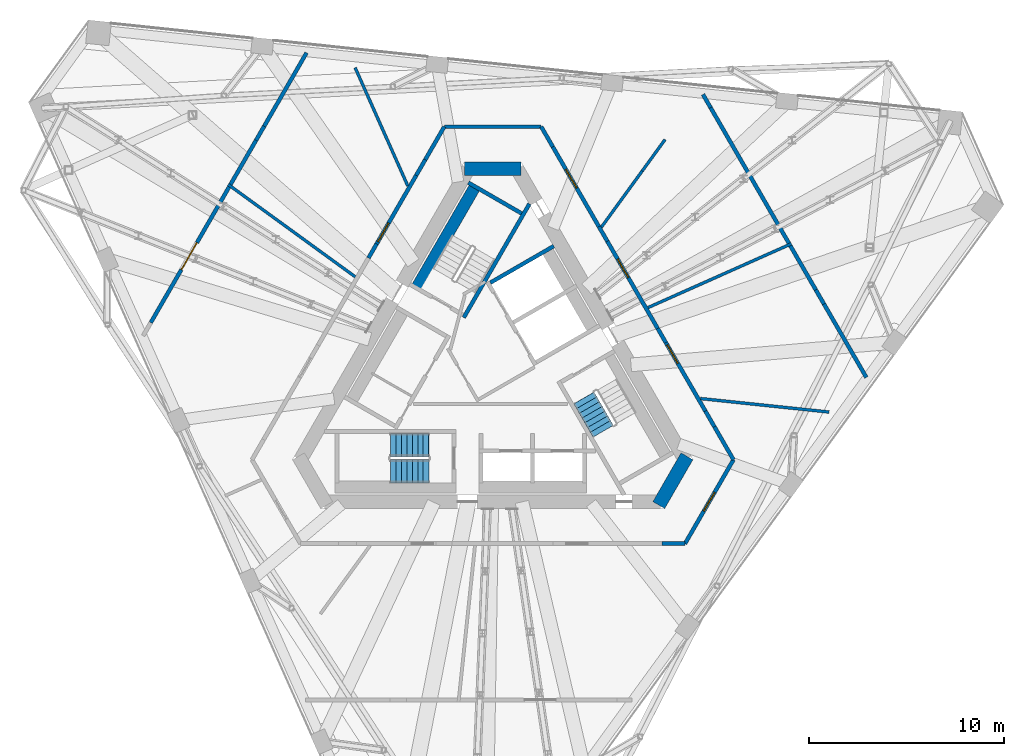
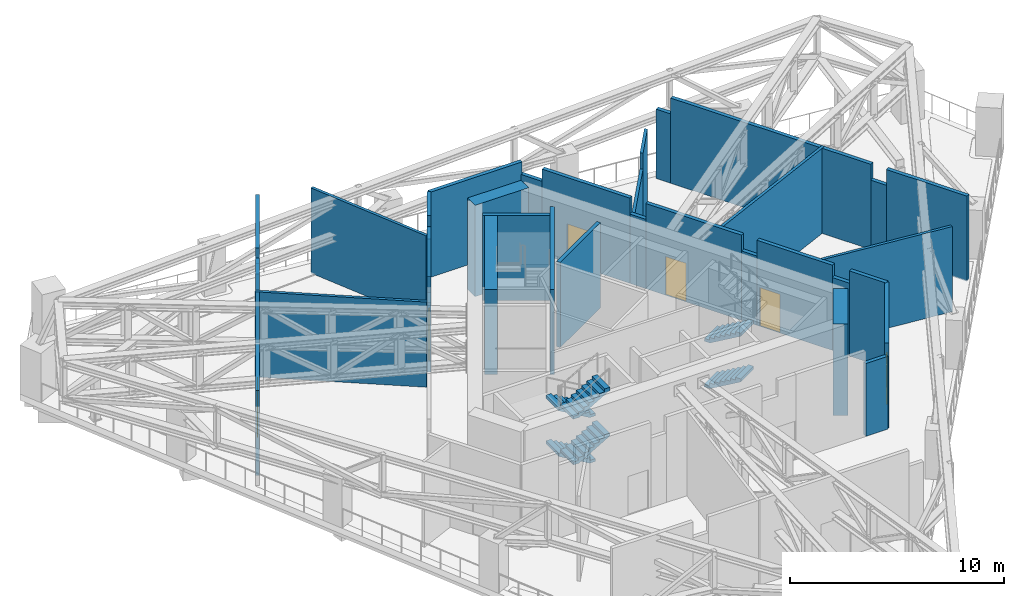
# One storey, part 13 of 20: 34 walls, 6 doors, 6 stair flights, 6 openings, 2 elements without a shape of their own.
"""IFC4 building model written with IfcOpenShell, lengths in metres."""

from ifc_helpers import new_model, si_unit, direction, frame, frame_2d, origin, place, context, subcontext, project, spatial, polyline, rectangle, outline, extrude, material, layer, layer_set, type_object, element, fill, aggregate, save


model = new_model("IFC4")

# Units and contexts
model_context = context("Model", 3, precision=1e-05, world=origin(), true_north=direction((0.0, 1.0)))
body_context = subcontext(model_context, "Body", "Model", "MODEL_VIEW")
ifc_project = project(units=[si_unit("LENGTHUNIT", "METRE"), si_unit("AREAUNIT", "SQUARE_METRE"), si_unit("VOLUMEUNIT", "CUBIC_METRE"), si_unit("PLANEANGLEUNIT", "RADIAN"), si_unit("MASSUNIT", "GRAM", prefix="KILO")], contexts=[model_context])

# Site, building, storey
site_placement = place(None, origin())
site = spatial("IfcSite", under=ifc_project, at=site_placement, CompositionType="ELEMENT")
building_placement = place(site_placement, origin())
building = spatial("IfcBuilding", under=site, at=building_placement, Name="Tramontana Tower", CompositionType="ELEMENT")
storey_placement = place(building_placement, frame((0.0, 0.0, 269.199951171875)))
storey = spatial("IfcBuildingStorey", under=building, at=storey_placement, Name="L63", CompositionType="ELEMENT", Elevation=269.199951171875)

# Walls
ifc_material_1 = material(Name="Concrete 70 MPa", Category="concrete")
ifc_layer_1 = layer(ifc_material_1, 0.699951171875)
ifc_layer_set_1 = layer_set([ifc_layer_1], Name="Core wall 700 70 MPa")
wall_type_1 = type_object("IfcWallType", Name="Core wall 700 70 MPa", PredefinedType="SHEAR", material=ifc_layer_set_1)
for number, where, z_axis, x_axis, name in (
    (1, (1.443359375, 10.64990234375, 0.0), (0.0, 0.0, 1.0), (-1.0, 0.0, 0.0), "Core wall C0 L63"),
    (2, (8.50146484375, -6.574951171875, 0.0), (0.0, 0.0, 1.0), (0.499995765644, 0.866027848477, 0.0), "Core wall C4 L63"),
):
    element("IfcWall", number, at=place(storey_placement, frame(where, z_axis=z_axis, x_axis=x_axis)), inside=storey, type_object=wall_type_1, Name=name, PredefinedType="SHEAR", context=body_context, shape_type="SweptSolid", body=[
        extrude(rectangle(XDim=2.88671875, YDim=0.699951171875, at=frame_2d((1.443359375, 0.0))), origin(), (0.0, 0.0, 1.0), 5.199951171875),
    ])

# Wall, opening, door
ifc_material_2 = material(Name="Blockwork", Category="masonry")
ifc_layer_2 = layer(ifc_material_2, 0.199951171875)
ifc_layer_set_2 = layer_set([ifc_layer_2], Name="ENCLOSURE WALL 200")
wall_type_2 = type_object("IfcWallType", Name="ENCLOSURE WALL 200", PredefinedType="SOLIDWALL", material=ifc_layer_set_2)
wall_1_placement = place(storey_placement, frame((-17.509521484375, 2.772705078125, 0.0), z_axis=(0.0, 0.0, 1.0), x_axis=(0.500001620546, 0.86602446816, 0.0)))
wall_1 = element("IfcWall", 3, at=wall_1_placement, inside=storey, type_object=wall_type_2, Name="Wall enc1-1", PredefinedType="SOLIDWALL", context=body_context, shape_type="SweptSolid", body=[
    extrude(rectangle(XDim=10.77490234375, YDim=0.199951171875, at=frame_2d((5.387451171875, 0.0))), origin(), (0.0, 0.0, 1.0), 4.85009765625),
])
opening_1_placement = place(wall_1_placement, frame((3.124755859375, 0.0, 0.0)))
opening_1 = element("IfcOpeningElement", 4, at=opening_1_placement, cuts=wall_1, Name="Opening L63-10", PredefinedType="OPENING", context=body_context, shape_type="SweptSolid", body=[
    extrude(rectangle(XDim=1.60009765625, YDim=2.300048828125, at=frame_2d((0.800048828125, 1.14990234375))), frame((0.0, 0.10986328125, 0.0), z_axis=(0.0, -1.0, 0.0), x_axis=(1.0, 0.0, 0.0)), (0.0, 0.0, 1.0), 0.219970703125),
])
ifc_material_3 = material(Name="Painted timber", Category="wood")
door_type_1 = type_object("IfcDoorType", Name="DOOR WIDE 1600", OperationType="SINGLE_SWING_LEFT", PredefinedType="DOOR", material=ifc_material_3)
door_1_placement = place(opening_1_placement, origin())
door_1 = element("IfcDoor", 5, at=door_1_placement, inside=storey, type_object=door_type_1, Name="Door L63-10", OperationType="DOUBLE_DOOR_SINGLE_SWING", OverallHeight=2.300048828125, OverallWidth=1.60009765625, PredefinedType="DOOR", context=body_context, shape_type="SweptSolid", body=[
    extrude(rectangle(XDim=1.60009765625, YDim=2.300048828125, at=frame_2d((0.800048828125, 1.14990234375))), frame((0.0, 0.02490234375, 0.0), z_axis=(0.0, -1.0, 0.0), x_axis=(1.0, 0.0, 0.0)), (0.0, 0.0, 1.0), 0.050048828125),
])
fill(opening_1, door_1)

# Walls
wall_2_placement = place(storey_placement, frame((-12.1220703125, 12.10400390625, 0.0), z_axis=(0.0, 0.0, 1.0), x_axis=(0.500077471398, 0.865980671032, 0.0)))
element("IfcWall", 6, at=wall_2_placement, inside=storey, type_object=wall_type_2, Name="Wall enc1-2", PredefinedType="SOLIDWALL", context=body_context, shape_type="SweptSolid", body=[
    extrude(rectangle(XDim=0.833251953125, YDim=0.199951171875, at=frame_2d((0.41650390625, 0.0))), origin(), (0.0, 0.0, 1.0), 3.949951171875),
])
wall_3_placement = place(storey_placement, frame((-11.705322265625, 12.82568359375, 0.0), z_axis=(0.0, 0.0, 1.0), x_axis=(0.500007885066, 0.866020851292, 0.0)))
element("IfcWall", 7, at=wall_3_placement, inside=storey, type_object=wall_type_2, Name="Wall enc1-3", PredefinedType="SOLIDWALL", context=body_context, shape_type="SweptSolid", body=[
    extrude(rectangle(XDim=4.34375, YDim=0.199951171875, at=frame_2d((2.171875, 0.0))), origin(), (0.0, 0.0, 1.0), 4.85009765625),
])
wall_4_placement = place(storey_placement, frame((10.765380859375, 14.453857421875, 0.0), z_axis=(0.0, 0.0, 1.0), x_axis=(0.50003806587, -0.866003425329, 0.0)))
element("IfcWall", 8, at=wall_4_placement, inside=storey, type_object=wall_type_2, Name="Wall enc2-0", PredefinedType="SOLIDWALL", context=body_context, shape_type="SweptSolid", body=[
    extrude(rectangle(XDim=0.78125, YDim=0.199951171875, at=frame_2d((0.390625, 0.0))), origin(), (0.0, 0.0, 1.0), 3.949951171875),
])
wall_5_placement = place(storey_placement, frame((11.156005859375, 13.77734375, 0.0), z_axis=(0.0, 0.0, 1.0), x_axis=(0.499984626538, -0.866034279475, 0.0)))
element("IfcWall", 9, at=wall_5_placement, inside=storey, type_object=wall_type_2, Name="Wall enc2-1", PredefinedType="SOLIDWALL", context=body_context, shape_type="SweptSolid", body=[
    extrude(rectangle(XDim=10.774658203125, YDim=0.199951171875, at=frame_2d((5.38720703125, 0.0))), origin(), (0.0, 0.0, 1.0), 4.85009765625),
])
wall_6_placement = place(storey_placement, frame((16.543212890625, 4.446044921875, 0.0), z_axis=(0.0, 0.0, 1.0), x_axis=(0.500077471398, -0.865980671032, 0.0)))
element("IfcWall", 10, at=wall_6_placement, inside=storey, type_object=wall_type_2, Name="Wall enc2-2", PredefinedType="SOLIDWALL", context=body_context, shape_type="SweptSolid", body=[
    extrude(rectangle(XDim=0.833251953125, YDim=0.199951171875, at=frame_2d((0.41650390625, 0.0))), origin(), (0.0, 0.0, 1.0), 3.949951171875),
])
wall_7_placement = place(storey_placement, frame((16.9599609375, 3.724365234375, 0.0), z_axis=(0.0, 0.0, 1.0), x_axis=(0.500007885066, -0.866020851292, 0.0)))
element("IfcWall", 11, at=wall_7_placement, inside=storey, type_object=wall_type_2, Name="Wall enc2-3", PredefinedType="SOLIDWALL", context=body_context, shape_type="SweptSolid", body=[
    extrude(rectangle(XDim=4.34375, YDim=0.199951171875, at=frame_2d((2.171875, 0.0))), origin(), (0.0, 0.0, 1.0), 4.85009765625),
])

# Wall, opening, door
ifc_material_4 = material(Name="Blockwork", Category="masonry")
ifc_layer_3 = layer(ifc_material_4, 0.199951171875)
ifc_layer_set_3 = layer_set([ifc_layer_3], Name="ENTRY WALL 200")
wall_type_3 = type_object("IfcWallType", Name="ENTRY WALL 200", PredefinedType="SOLIDWALL", material=ifc_layer_set_3)
wall_8_placement = place(storey_placement, frame((12.326416015625, -4.25, 0.0), z_axis=(0.0, 0.0, 1.0), x_axis=(-0.50000478328, -0.866022642139, 0.0)))
wall_8 = element("IfcWall", 12, at=wall_8_placement, inside=storey, type_object=wall_type_3, Name="Wall ew0", PredefinedType="SOLIDWALL", context=body_context, shape_type="SweptSolid", body=[
    extrude(rectangle(XDim=4.96533203125, YDim=0.199951171875, at=frame_2d((2.482666015625, 0.0))), origin(), (0.0, 0.0, 1.0), 4.85009765625),
])
opening_2_placement = place(wall_8_placement, frame((1.9326171875, 0.0, 0.0)))
opening_2 = element("IfcOpeningElement", 13, at=opening_2_placement, cuts=wall_8, Name="Opening L63-08", PredefinedType="OPENING", context=body_context, shape_type="SweptSolid", body=[
    extrude(rectangle(XDim=1.10009765625, YDim=2.199951171875, at=frame_2d((0.550048828125, 1.10009765625))), frame((0.0, 0.10986328125, 0.0), z_axis=(0.0, -1.0, 0.0), x_axis=(1.0, 0.0, 0.0)), (0.0, 0.0, 1.0), 0.219970703125),
])
ifc_material_5 = material(Name="Painted steel", Category="steel")
door_type_2 = type_object("IfcDoorType", Name="PLANT DOOR 1100", OperationType="SINGLE_SWING_LEFT", PredefinedType="DOOR", material=ifc_material_5)
door_2_placement = place(opening_2_placement, origin())
door_2 = element("IfcDoor", 14, at=door_2_placement, inside=storey, type_object=door_type_2, Name="Door L63-08", OperationType="SINGLE_SWING_RIGHT", OverallHeight=2.199951171875, OverallWidth=1.10009765625, PredefinedType="DOOR", context=body_context, shape_type="SweptSolid", body=[
    extrude(rectangle(XDim=1.10009765625, YDim=2.199951171875, at=frame_2d((0.550048828125, 1.10009765625))), frame((0.0, 0.02490234375, 0.0), z_axis=(0.0, -1.0, 0.0), x_axis=(1.0, 0.0, 0.0)), (0.0, 0.0, 1.0), 0.050048828125),
])
fill(opening_2, door_2)

# Walls
wall_9_placement = place(storey_placement, frame((9.84375, -8.550048828125, 0.0), z_axis=(0.0, 0.0, 1.0), x_axis=(-1.0, 0.0, 0.0)))
element("IfcWall", 15, at=wall_9_placement, inside=storey, type_object=wall_type_3, Name="Wall ew1-0", PredefinedType="SOLIDWALL", context=body_context, shape_type="SweptSolid", body=[
    extrude(rectangle(XDim=1.1884765625, YDim=0.199951171875, at=frame_2d((0.59423828125, 0.0))), origin(), (0.0, 0.0, 1.0), 4.150146484375),
])
wall_10_placement = place(storey_placement, frame((-6.36328125, 6.07861328125, 0.0), z_axis=(0.0, 0.0, 1.0), x_axis=(0.499950631041, 0.86605390509, 0.0)))
element("IfcWall", 16, at=wall_10_placement, inside=storey, type_object=wall_type_3, Name="Wall ew3-4", PredefinedType="SOLIDWALL", context=body_context, shape_type="SweptSolid", body=[
    extrude(rectangle(XDim=0.83349609375, YDim=0.199951171875, at=frame_2d((0.416748046875, 0.0))), origin(), (0.0, 0.0, 1.0), 3.949951171875),
])

# Wall, opening, door
wall_11_placement = place(storey_placement, frame((-5.946533203125, 6.800537109375, 0.0), z_axis=(0.0, 0.0, 1.0), x_axis=(0.500007556608, 0.866021040931, 0.0)))
wall_11 = element("IfcWall", 17, at=wall_11_placement, inside=storey, type_object=wall_type_3, Name="Wall ew3-5", PredefinedType="SOLIDWALL", context=body_context, shape_type="SweptSolid", body=[
    extrude(rectangle(XDim=4.05224609375, YDim=0.199951171875, at=frame_2d((2.026123046875, 0.0))), origin(), (0.0, 0.0, 1.0), 4.85009765625),
])
opening_3_placement = place(wall_11_placement, frame((0.130859375, 0.0, 0.0)))
opening_3 = element("IfcOpeningElement", 18, at=opening_3_placement, cuts=wall_11, Name="Opening L63-03", PredefinedType="OPENING", context=body_context, shape_type="SweptSolid", body=[
    extrude(rectangle(XDim=1.10009765625, YDim=2.199951171875, at=frame_2d((0.550048828125, 1.10009765625))), frame((0.0, 0.10986328125, 0.0), z_axis=(0.0, -1.0, 0.0), x_axis=(1.0, 0.0, 0.0)), (0.0, 0.0, 1.0), 0.219970703125),
])
door_3_placement = place(opening_3_placement, origin())
door_3 = element("IfcDoor", 19, at=door_3_placement, inside=storey, type_object=door_type_2, Name="Door L63-03", OperationType="SINGLE_SWING_LEFT", OverallHeight=2.199951171875, OverallWidth=1.10009765625, PredefinedType="DOOR", context=body_context, shape_type="SweptSolid", body=[
    extrude(rectangle(XDim=1.10009765625, YDim=2.199951171875, at=frame_2d((0.550048828125, 1.10009765625))), frame((0.0, 0.02490234375, 0.0), z_axis=(0.0, -1.0, 0.0), x_axis=(1.0, 0.0, 0.0)), (0.0, 0.0, 1.0), 0.050048828125),
])
fill(opening_3, door_3)

# Walls
wall_12_placement = place(storey_placement, frame((-3.92041015625, 10.309814453125, 0.0), z_axis=(0.0, 0.0, 1.0), x_axis=(0.500102178127, 0.865966403178, 0.0)))
element("IfcWall", 20, at=wall_12_placement, inside=storey, type_object=wall_type_3, Name="Wall ew3-6", PredefinedType="SOLIDWALL", context=body_context, shape_type="SweptSolid", body=[
    extrude(rectangle(XDim=0.927490234375, YDim=0.199951171875, at=frame_2d((0.4638671875, 0.0))), origin(), (0.0, 0.0, 1.0), 4.150146484375),
])
wall_13_placement = place(storey_placement, frame((-3.45654296875, 11.113037109375, 0.0), z_axis=(0.0, 0.0, 1.0), x_axis=(0.499953905513, 0.866052014814, 0.0)))
element("IfcWall", 21, at=wall_13_placement, inside=storey, type_object=wall_type_3, Name="Wall ew3-7", PredefinedType="SOLIDWALL", context=body_context, shape_type="SweptSolid", body=[
    extrude(rectangle(XDim=1.947998046875, YDim=0.199951171875, at=frame_2d((0.97412109375, 0.0))), origin(), (0.0, 0.0, 1.0), 4.85009765625),
])
wall_14_placement = place(storey_placement, frame((-2.482666015625, 12.800048828125, 0.0), z_axis=(0.0, 0.0, 1.0), x_axis=(1.0, 0.0, 0.0)))
element("IfcWall", 22, at=wall_14_placement, inside=storey, type_object=wall_type_3, Name="Wall ew4", PredefinedType="SOLIDWALL", context=body_context, shape_type="SweptSolid", body=[
    extrude(rectangle(XDim=4.96533203125, YDim=0.199951171875, at=frame_2d((2.482666015625, 0.0))), origin(), (0.0, 0.0, 1.0), 4.85009765625),
])
wall_15_placement = place(storey_placement, frame((2.482666015625, 12.800048828125, 0.0), z_axis=(0.0, 0.0, 1.0), x_axis=(0.499983247966, -0.86603507536, 0.0)))
element("IfcWall", 23, at=wall_15_placement, inside=storey, type_object=wall_type_3, Name="Wall ew5-0", PredefinedType="SOLIDWALL", context=body_context, shape_type="SweptSolid", body=[
    extrude(rectangle(XDim=1.1884765625, YDim=0.199951171875, at=frame_2d((0.59423828125, 0.0))), origin(), (0.0, 0.0, 1.0), 4.150146484375),
])

# Wall, opening, door
wall_16_placement = place(storey_placement, frame((3.076904296875, 11.770751953125, 0.0), z_axis=(0.0, 0.0, 1.0), x_axis=(0.500007683529, -0.866020967652, 0.0)))
wall_16 = element("IfcWall", 24, at=wall_16_placement, inside=storey, type_object=wall_type_3, Name="Wall ew5-1", PredefinedType="SOLIDWALL", context=body_context, shape_type="SweptSolid", body=[
    extrude(rectangle(XDim=4.71728515625, YDim=0.199951171875, at=frame_2d((2.358642578125, 0.0))), origin(), (0.0, 0.0, 1.0), 4.85009765625),
])
opening_4_placement = place(wall_16_placement, frame((1.338623046875, 0.0, 0.0)))
opening_4 = element("IfcOpeningElement", 25, at=opening_4_placement, cuts=wall_16, Name="Opening L63-02", PredefinedType="OPENING", context=body_context, shape_type="SweptSolid", body=[
    extrude(rectangle(XDim=1.10009765625, YDim=2.199951171875, at=frame_2d((0.550048828125, 1.10009765625))), frame((0.0, 0.10986328125, 0.0), z_axis=(0.0, -1.0, 0.0), x_axis=(1.0, 0.0, 0.0)), (0.0, 0.0, 1.0), 0.219970703125),
])
door_4_placement = place(opening_4_placement, origin())
door_4 = element("IfcDoor", 26, at=door_4_placement, inside=storey, type_object=door_type_2, Name="Door L63-02", OperationType="SINGLE_SWING_RIGHT", OverallHeight=2.199951171875, OverallWidth=1.10009765625, PredefinedType="DOOR", context=body_context, shape_type="SweptSolid", body=[
    extrude(rectangle(XDim=1.10009765625, YDim=2.199951171875, at=frame_2d((0.550048828125, 1.10009765625))), frame((0.0, 0.02490234375, 0.0), z_axis=(0.0, -1.0, 0.0), x_axis=(1.0, 0.0, 0.0)), (0.0, 0.0, 1.0), 0.050048828125),
])
fill(opening_4, door_4)

# Wall
wall_17_placement = place(storey_placement, frame((5.435546875, 7.685546875, 0.0), z_axis=(0.0, 0.0, 1.0), x_axis=(0.500056482814, -0.86599279096, 0.0)))
element("IfcWall", 27, at=wall_17_placement, inside=storey, type_object=wall_type_3, Name="Wall ew5-2", PredefinedType="SOLIDWALL", context=body_context, shape_type="SweptSolid", body=[
    extrude(rectangle(XDim=0.86474609375, YDim=0.199951171875, at=frame_2d((0.432373046875, 0.0))), origin(), (0.0, 0.0, 1.0), 3.949951171875),
])

# Wall, opening, door
wall_18_placement = place(storey_placement, frame((5.867919921875, 6.936767578125, 0.0), z_axis=(0.0, 0.0, 1.0), x_axis=(0.499973847261, -0.866040502549, 0.0)))
wall_18 = element("IfcWall", 28, at=wall_18_placement, inside=storey, type_object=wall_type_3, Name="Wall ew5-3", PredefinedType="SOLIDWALL", context=body_context, shape_type="SweptSolid", body=[
    extrude(rectangle(XDim=5.156005859375, YDim=0.199951171875, at=frame_2d((2.578125, 0.0))), origin(), (0.0, 0.0, 1.0), 4.85009765625),
])
opening_5_placement = place(wall_18_placement, frame((1.05224609375, 0.0, 0.0)))
opening_5 = element("IfcOpeningElement", 29, at=opening_5_placement, cuts=wall_18, Name="Opening L63-01", PredefinedType="OPENING", context=body_context, shape_type="SweptSolid", body=[
    extrude(rectangle(XDim=1.10009765625, YDim=2.199951171875, at=frame_2d((0.550048828125, 1.10009765625))), frame((0.0, 0.10986328125, 0.0), z_axis=(0.0, -1.0, 0.0), x_axis=(1.0, 0.0, 0.0)), (0.0, 0.0, 1.0), 0.219970703125),
])
door_5_placement = place(opening_5_placement, origin())
door_5 = element("IfcDoor", 30, at=door_5_placement, inside=storey, type_object=door_type_2, Name="Door L63-01", OperationType="SINGLE_SWING_LEFT", OverallHeight=2.199951171875, OverallWidth=1.10009765625, PredefinedType="DOOR", context=body_context, shape_type="SweptSolid", body=[
    extrude(rectangle(XDim=1.10009765625, YDim=2.199951171875, at=frame_2d((0.550048828125, 1.10009765625))), frame((0.0, 0.02490234375, 0.0), z_axis=(0.0, -1.0, 0.0), x_axis=(1.0, 0.0, 0.0)), (0.0, 0.0, 1.0), 0.050048828125),
])
fill(opening_5, door_5)

# Wall
wall_19_placement = place(storey_placement, frame((8.44580078125, 2.471435546875, 0.0), z_axis=(0.0, 0.0, 1.0), x_axis=(0.499950631041, -0.86605390509, 0.0)))
element("IfcWall", 31, at=wall_19_placement, inside=storey, type_object=wall_type_3, Name="Wall ew5-4", PredefinedType="SOLIDWALL", context=body_context, shape_type="SweptSolid", body=[
    extrude(rectangle(XDim=0.83349609375, YDim=0.199951171875, at=frame_2d((0.416748046875, 0.0))), origin(), (0.0, 0.0, 1.0), 3.949951171875),
])

# Wall, opening, door
wall_20_placement = place(storey_placement, frame((8.862548828125, 1.74951171875, 0.0), z_axis=(0.0, 0.0, 1.0), x_axis=(0.500007556608, -0.866021040931, 0.0)))
wall_20 = element("IfcWall", 32, at=wall_20_placement, inside=storey, type_object=wall_type_3, Name="Wall ew5-5", PredefinedType="SOLIDWALL", context=body_context, shape_type="SweptSolid", body=[
    extrude(rectangle(XDim=4.05224609375, YDim=0.199951171875, at=frame_2d((2.026123046875, 0.0))), origin(), (0.0, 0.0, 1.0), 4.85009765625),
])
opening_6_placement = place(wall_20_placement, frame((0.130859375, 0.0, 0.0)))
opening_6 = element("IfcOpeningElement", 33, at=opening_6_placement, cuts=wall_20, Name="Opening L63-09", PredefinedType="OPENING", context=body_context, shape_type="SweptSolid", body=[
    extrude(rectangle(XDim=1.10009765625, YDim=2.199951171875, at=frame_2d((0.550048828125, 1.10009765625))), frame((0.0, 0.10986328125, 0.0), z_axis=(0.0, -1.0, 0.0), x_axis=(1.0, 0.0, 0.0)), (0.0, 0.0, 1.0), 0.219970703125),
])
door_6_placement = place(opening_6_placement, origin())
door_6 = element("IfcDoor", 34, at=door_6_placement, inside=storey, type_object=door_type_2, Name="Door L63-09", OperationType="SINGLE_SWING_LEFT", OverallHeight=2.199951171875, OverallWidth=1.10009765625, PredefinedType="DOOR", context=body_context, shape_type="SweptSolid", body=[
    extrude(rectangle(XDim=1.10009765625, YDim=2.199951171875, at=frame_2d((0.550048828125, 1.10009765625))), frame((0.0, 0.02490234375, 0.0), z_axis=(0.0, -1.0, 0.0), x_axis=(1.0, 0.0, 0.0)), (0.0, 0.0, 1.0), 0.050048828125),
])
fill(opening_6, door_6)

# Walls
wall_21_placement = place(storey_placement, frame((10.888671875, -1.759765625, 0.0), z_axis=(0.0, 0.0, 1.0), x_axis=(0.500102178127, -0.865966403178, 0.0)))
element("IfcWall", 35, at=wall_21_placement, inside=storey, type_object=wall_type_3, Name="Wall ew5-6", PredefinedType="SOLIDWALL", context=body_context, shape_type="SweptSolid", body=[
    extrude(rectangle(XDim=0.927490234375, YDim=0.199951171875, at=frame_2d((0.4638671875, 0.0))), origin(), (0.0, 0.0, 1.0), 4.150146484375),
])
wall_22_placement = place(storey_placement, frame((11.3525390625, -2.56298828125, 0.0), z_axis=(0.0, 0.0, 1.0), x_axis=(0.499953905513, -0.866052014814, 0.0)))
element("IfcWall", 36, at=wall_22_placement, inside=storey, type_object=wall_type_3, Name="Wall ew5-7", PredefinedType="SOLIDWALL", context=body_context, shape_type="SweptSolid", body=[
    extrude(rectangle(XDim=1.947998046875, YDim=0.199951171875, at=frame_2d((0.97412109375, 0.0))), origin(), (0.0, 0.0, 1.0), 4.85009765625),
])
ifc_material_6 = material(Name="Gypsum board partition")
ifc_layer_4 = layer(ifc_material_6, 0.14990234375)
ifc_layer_set_4 = layer_set([ifc_layer_4], Name="PARTITION 150")
wall_type_4 = type_object("IfcWallType", Name="PARTITION 150", PredefinedType="PARTITIONING", material=ifc_layer_set_4)
wall_23_placement = place(storey_placement, frame((-7.03662109375, 5.1123046875, 0.0), z_axis=(0.0, 0.0, 1.0), x_axis=(-0.809012919045, 0.587790861462, 0.0)))
element("IfcWall", 37, at=wall_23_placement, inside=storey, type_object=wall_type_4, Name="Wall fw-pw01", PredefinedType="PARTITIONING", context=body_context, shape_type="SweptSolid", body=[
    extrude(rectangle(XDim=8.044189453125, YDim=0.14990234375, at=frame_2d((4.02197265625, 0.0))), origin(), (0.0, 0.0, 1.0), 4.85009765625),
])
wall_24_placement = place(storey_placement, frame((-4.348876953125, 9.767578125, 0.0), z_axis=(0.0, 0.0, 1.0), x_axis=(-0.406736425393, 0.913545554561, 0.0)))
element("IfcWall", 38, at=wall_24_placement, inside=storey, type_object=wall_type_4, Name="Wall fw-pw03", PredefinedType="PARTITIONING", context=body_context, shape_type="SweptSolid", body=[
    extrude(rectangle(XDim=6.62841796875, YDim=0.14990234375, at=frame_2d((3.314208984375, 0.0))), origin(), (0.0, 0.0, 1.0), 4.85009765625),
])
wall_25_placement = place(storey_placement, frame((5.5654296875, 7.66015625, 0.0), z_axis=(0.0, 0.0, 1.0), x_axis=(0.587787750024, 0.809015179661, 0.0)))
element("IfcWall", 39, at=wall_25_placement, inside=storey, type_object=wall_type_4, Name="Wall fw-pw05-0", PredefinedType="PARTITIONING", context=body_context, shape_type="SweptSolid", body=[
    extrude(rectangle(XDim=3.5546875, YDim=0.14990234375, at=frame_2d((1.77734375, 0.0))), origin(), (0.0, 0.0, 1.0), 3.949951171875),
])
wall_26_placement = place(storey_placement, frame((7.65478515625, 10.535888671875, 0.0), z_axis=(0.0, 0.0, 1.0), x_axis=(0.587748103299, 0.809043983396, 0.0)))
element("IfcWall", 40, at=wall_26_placement, inside=storey, type_object=wall_type_4, Name="Wall fw-pw05-1", PredefinedType="PARTITIONING", context=body_context, shape_type="SweptSolid", body=[
    extrude(rectangle(XDim=1.988037109375, YDim=0.14990234375, at=frame_2d((0.994140625, 0.0))), origin(), (0.0, 0.0, 1.0), 4.85009765625),
])
wall_27_placement = place(storey_placement, frame((10.633544921875, -1.11767578125, 0.0), z_axis=(0.0, 0.0, 1.0), x_axis=(0.994521586964, -0.104531397497, 0.0)))
element("IfcWall", 41, at=wall_27_placement, inside=storey, type_object=wall_type_4, Name="Wall fw-pw06", PredefinedType="PARTITIONING", context=body_context, shape_type="SweptSolid", body=[
    extrude(rectangle(XDim=6.62841796875, YDim=0.14990234375, at=frame_2d((3.314208984375, 0.0))), origin(), (0.0, 0.0, 1.0), 4.85009765625),
])
wall_28_placement = place(storey_placement, frame((15.29443359375, 6.8095703125, 0.0), z_axis=(0.0, 0.0, 1.0), x_axis=(-0.91353850426, -0.406752260269, 0.0)))
element("IfcWall", 42, at=wall_28_placement, inside=storey, type_object=wall_type_4, Name="Wall fw-pw07", PredefinedType="PARTITIONING", context=body_context, shape_type="SweptSolid", body=[
    extrude(rectangle(XDim=8.044189453125, YDim=0.14990234375, at=frame_2d((4.02197265625, 0.0))), origin(), (0.0, 0.0, 1.0), 4.85009765625),
])
ifc_material_7 = material(Name="Concrete 70 MPa", Category="concrete")
ifc_layer_5 = layer(ifc_material_7, 0.60009765625)
ifc_layer_set_5 = layer_set([ifc_layer_5], Name="Concrete 70 MPa, 600 mm")
wall_type_5 = type_object("IfcWallType", Name="RC SHAFT BACK WALL 600", PredefinedType="SOLIDWALL", material=ifc_layer_set_5)
wall_29_placement = place(storey_placement, frame((-0.85302734375, 9.822509765625, 0.0), z_axis=(0.0, 0.0, 1.0), x_axis=(-0.500009909098, -0.866019682689, 0.0)))
element("IfcWall", 43, at=wall_29_placement, inside=storey, type_object=wall_type_5, Name="Wall st1-back", PredefinedType="SOLIDWALL", context=body_context, shape_type="SweptSolid", body=[
    extrude(rectangle(XDim=6.199951171875, YDim=0.60009765625, at=frame_2d((3.10009765625, 0.0))), origin(), (0.0, 0.0, 1.0), 4.85009765625),
])
ifc_material_8 = material(Name="Concrete 70 MPa", Category="concrete")
ifc_layer_6 = layer(ifc_material_8, 0.199951171875)
ifc_layer_set_6 = layer_set([ifc_layer_6], Name="Concrete 70 MPa, 200 mm")
wall_type_6 = type_object("IfcWallType", Name="RC STAIR AND SHAFT WALL 200", PredefinedType="SOLIDWALL", material=ifc_layer_set_6)
wall_30_placement = place(storey_placement, frame((1.87646484375, 8.85009765625, 0.0), z_axis=(0.0, 0.0, 1.0), x_axis=(-0.499998042495, -0.866026533947, 0.0)))
element("IfcWall", 44, at=wall_30_placement, inside=storey, type_object=wall_type_6, Name="Wall st1-front", PredefinedType="SOLIDWALL", context=body_context, shape_type="SweptSolid", body=[
    extrude(rectangle(XDim=6.72265625, YDim=0.199951171875, at=frame_2d((3.361328125, 0.0))), origin(), (0.0, 0.0, 1.0), 4.85009765625),
])
wall_31_placement = place(storey_placement, frame((1.478515625, 8.36083984375, 0.0), z_axis=(0.0, 0.0, 1.0), x_axis=(-0.866035871367, 0.499981869177, 0.0)))
element("IfcWall", 45, at=wall_31_placement, inside=storey, type_object=wall_type_6, Name="Wall st1-far", PredefinedType="SOLIDWALL", context=body_context, shape_type="SweptSolid", body=[
    extrude(rectangle(XDim=3.14990234375, YDim=0.199951171875, at=frame_2d((1.574951171875, 0.0))), origin(), (0.0, 0.0, 1.0), 4.85009765625),
])
wall_32_placement = place(storey_placement, frame((-0.123046875, 4.813232421875, 0.0), z_axis=(0.0, 0.0, 1.0), x_axis=(0.866022959057, 0.500004234368, 0.0)))
element("IfcWall", 46, at=wall_32_placement, inside=storey, type_object=wall_type_6, Name="Wall row2-side2", PredefinedType="SOLIDWALL", context=body_context, shape_type="SweptSolid", body=[
    extrude(rectangle(XDim=3.75, YDim=0.199951171875, at=frame_2d((1.875, 0.0))), origin(), (0.0, 0.0, 1.0), 4.85009765625),
])

# Stair, stair flights
ifc_material_9 = material(Name="Concrete 40 MPa", Category="concrete")
stair_type = type_object("IfcStairType", Name="EXIT STAIR 32 RISERS", PredefinedType="HALF_TURN_STAIR", material=ifc_material_9)
stair_1_placement = place(storey_placement, origin())
stair_1 = element("IfcStair", 47, at=stair_1_placement, inside=storey, type_object=stair_type, Name="L63 Exit stair ST2", PredefinedType="HALF_TURN_STAIR")
ifc_material_10 = material(Name="Concrete 40 MPa", Category="concrete")
ifc_layer_7 = layer(ifc_material_10, 0.14990234375)
ifc_layer_set_7 = layer_set([ifc_layer_7], Name="EXIT STAIR FLIGHT")
stair_flight_type = type_object("IfcStairFlightType", Name="EXIT STAIR FLIGHT", PredefinedType="STRAIGHT", material=ifc_layer_set_7)
stair_flight_1_placement = place(storey_placement, frame((-3.280029296875, -3.5, 0.0), z_axis=(0.0, 0.0, 1.0), x_axis=(-1.0, 0.0, 0.0)))
stair_flight_1 = element("IfcStairFlight", 48, at=stair_flight_1_placement, type_object=stair_flight_type, Name="ST2 flight 1", NumberOfRisers=8, NumberOfTreads=7, PredefinedType="STRAIGHT", RiserHeight=0.1625, TreadLength=0.28, context=body_context, shape_type="SweptSolid", body=[
    extrude(outline(polyline([(-0.006103515625, 0.0), (-0.006103515625, 0.0400390625), (0.0, 0.0400390625), (0.0, 0.16259765625), (0.280029296875, 0.16259765625), (0.280029296875, 0.324951171875), (0.56005859375, 0.324951171875), (0.56005859375, 0.487548828125), (0.840087890625, 0.487548828125), (0.840087890625, 0.64990234375), (1.1201171875, 0.64990234375), (1.1201171875, 0.8125), (1.39990234375, 0.8125), (1.39990234375, 0.97509765625), (1.679931640625, 0.97509765625), (1.679931640625, 1.137451171875), (1.9599609375, 1.137451171875), (1.966064453125, 1.137451171875), (1.966064453125, 0.964111328125), (0.3046875, 0.0), (-0.006103515625, 0.0)])), frame((0.0, 0.60009765625, 0.0), z_axis=(0.0, -1.0, 0.0), x_axis=(1.0, 0.0, 0.0)), (0.0, 0.0, 1.0), 1.199951171875),
])
stair_flight_2_placement = place(storey_placement, frame((-5.239990234375, -4.85009765625, 1.300048828125), z_axis=(0.0, 0.0, 1.0), x_axis=(1.0, 0.0, 0.0)))
stair_flight_2 = element("IfcStairFlight", 49, at=stair_flight_2_placement, type_object=stair_flight_type, Name="ST2 flight 2", NumberOfRisers=8, NumberOfTreads=7, PredefinedType="STRAIGHT", RiserHeight=0.1625, TreadLength=0.28, context=body_context, shape_type="SweptSolid", body=[
    extrude(outline(polyline([(-0.006103515625, 0.0), (-0.006103515625, 0.0400390625), (0.0, 0.0400390625), (0.0, 0.16259765625), (0.280029296875, 0.16259765625), (0.280029296875, 0.324951171875), (0.56005859375, 0.324951171875), (0.56005859375, 0.487548828125), (0.840087890625, 0.487548828125), (0.840087890625, 0.64990234375), (1.1201171875, 0.64990234375), (1.1201171875, 0.8125), (1.39990234375, 0.8125), (1.39990234375, 0.97509765625), (1.679931640625, 0.97509765625), (1.679931640625, 1.137451171875), (1.9599609375, 1.137451171875), (1.966064453125, 1.137451171875), (1.966064453125, 0.964111328125), (0.3046875, 0.0), (-0.006103515625, 0.0)])), frame((0.0, 0.60009765625, 0.0), z_axis=(0.0, -1.0, 0.0), x_axis=(1.0, 0.0, 0.0)), (0.0, 0.0, 1.0), 1.199951171875),
])
stair_flight_3_placement = place(storey_placement, frame((-3.280029296875, -3.5, 2.60009765625), z_axis=(0.0, 0.0, 1.0), x_axis=(-1.0, 0.0, 0.0)))
stair_flight_3 = element("IfcStairFlight", 50, at=stair_flight_3_placement, type_object=stair_flight_type, Name="ST2 flight 3", NumberOfRisers=8, NumberOfTreads=7, PredefinedType="STRAIGHT", RiserHeight=0.1625, TreadLength=0.28, context=body_context, shape_type="SweptSolid", body=[
    extrude(outline(polyline([(-0.006103515625, 0.0), (-0.006103515625, 0.0400390625), (0.0, 0.0400390625), (0.0, 0.16259765625), (0.280029296875, 0.16259765625), (0.280029296875, 0.324951171875), (0.56005859375, 0.324951171875), (0.56005859375, 0.487548828125), (0.840087890625, 0.487548828125), (0.840087890625, 0.64990234375), (1.1201171875, 0.64990234375), (1.1201171875, 0.8125), (1.39990234375, 0.8125), (1.39990234375, 0.97509765625), (1.679931640625, 0.97509765625), (1.679931640625, 1.137451171875), (1.9599609375, 1.137451171875), (1.966064453125, 1.137451171875), (1.966064453125, 0.964111328125), (0.3046875, 0.0), (-0.006103515625, 0.0)])), frame((0.0, 0.60009765625, 0.0), z_axis=(0.0, -1.0, 0.0), x_axis=(1.0, 0.0, 0.0)), (0.0, 0.0, 1.0), 1.199951171875),
])
stair_flight_4_placement = place(storey_placement, frame((-5.239990234375, -4.85009765625, 3.900146484375), z_axis=(0.0, 0.0, 1.0), x_axis=(1.0, 0.0, 0.0)))
stair_flight_4 = element("IfcStairFlight", 51, at=stair_flight_4_placement, type_object=stair_flight_type, Name="ST2 flight 4", NumberOfRisers=8, NumberOfTreads=7, PredefinedType="STRAIGHT", RiserHeight=0.1625, TreadLength=0.28, context=body_context, shape_type="SweptSolid", body=[
    extrude(outline(polyline([(-0.006103515625, 0.0), (-0.006103515625, 0.0400390625), (0.0, 0.0400390625), (0.0, 0.16259765625), (0.280029296875, 0.16259765625), (0.280029296875, 0.324951171875), (0.56005859375, 0.324951171875), (0.56005859375, 0.487548828125), (0.840087890625, 0.487548828125), (0.840087890625, 0.64990234375), (1.1201171875, 0.64990234375), (1.1201171875, 0.8125), (1.39990234375, 0.8125), (1.39990234375, 0.97509765625), (1.679931640625, 0.97509765625), (1.679931640625, 1.137451171875), (1.9599609375, 1.137451171875), (1.966064453125, 1.137451171875), (1.966064453125, 0.964111328125), (0.3046875, 0.0), (-0.006103515625, 0.0)])), frame((0.0, 0.60009765625, 0.0), z_axis=(0.0, -1.0, 0.0), x_axis=(1.0, 0.0, 0.0)), (0.0, 0.0, 1.0), 1.199951171875),
])
aggregate(stair_1, [stair_flight_1, stair_flight_2, stair_flight_3, stair_flight_4])

stair_2_placement = place(storey_placement, origin())
stair_2 = element("IfcStair", 52, at=stair_2_placement, inside=storey, type_object=stair_type, Name="L63 Exit stair ST3", PredefinedType="HALF_TURN_STAIR")
stair_flight_5_placement = place(storey_placement, frame((4.671142578125, -1.090576171875, 0.0), z_axis=(0.0, 0.0, 1.0), x_axis=(0.5, -0.866025403784, 0.0)))
stair_flight_5 = element("IfcStairFlight", 53, at=stair_flight_5_placement, type_object=stair_flight_type, Name="ST3 flight 1", NumberOfRisers=8, NumberOfTreads=7, PredefinedType="STRAIGHT", RiserHeight=0.1625, TreadLength=0.28, context=body_context, shape_type="SweptSolid", body=[
    extrude(outline(polyline([(-0.006103515625, 0.0), (-0.006103515625, 0.0400390625), (0.0, 0.0400390625), (0.0, 0.16259765625), (0.280029296875, 0.16259765625), (0.280029296875, 0.324951171875), (0.56005859375, 0.324951171875), (0.56005859375, 0.487548828125), (0.840087890625, 0.487548828125), (0.840087890625, 0.64990234375), (1.1201171875, 0.64990234375), (1.1201171875, 0.8125), (1.39990234375, 0.8125), (1.39990234375, 0.97509765625), (1.679931640625, 0.97509765625), (1.679931640625, 1.137451171875), (1.9599609375, 1.137451171875), (1.966064453125, 1.137451171875), (1.966064453125, 0.964111328125), (0.3046875, 0.0), (-0.006103515625, 0.0)])), frame((0.0, 0.60009765625, 0.0), z_axis=(0.0, -1.0, 0.0), x_axis=(1.0, 0.0, 0.0)), (0.0, 0.0, 1.0), 1.199951171875),
])
stair_flight_6_placement = place(storey_placement, frame((4.671142578125, -1.090576171875, 2.60009765625), z_axis=(0.0, 0.0, 1.0), x_axis=(0.5, -0.866025403784, 0.0)))
stair_flight_6 = element("IfcStairFlight", 54, at=stair_flight_6_placement, type_object=stair_flight_type, Name="ST3 flight 3", NumberOfRisers=8, NumberOfTreads=7, PredefinedType="STRAIGHT", RiserHeight=0.1625, TreadLength=0.28, context=body_context, shape_type="SweptSolid", body=[
    extrude(outline(polyline([(-0.006103515625, 0.0), (-0.006103515625, 0.0400390625), (0.0, 0.0400390625), (0.0, 0.16259765625), (0.280029296875, 0.16259765625), (0.280029296875, 0.324951171875), (0.56005859375, 0.324951171875), (0.56005859375, 0.487548828125), (0.840087890625, 0.487548828125), (0.840087890625, 0.64990234375), (1.1201171875, 0.64990234375), (1.1201171875, 0.8125), (1.39990234375, 0.8125), (1.39990234375, 0.97509765625), (1.679931640625, 0.97509765625), (1.679931640625, 1.137451171875), (1.9599609375, 1.137451171875), (1.966064453125, 1.137451171875), (1.966064453125, 0.964111328125), (0.3046875, 0.0), (-0.006103515625, 0.0)])), frame((0.0, 0.60009765625, 0.0), z_axis=(0.0, -1.0, 0.0), x_axis=(1.0, 0.0, 0.0)), (0.0, 0.0, 1.0), 1.199951171875),
])
aggregate(stair_2, [stair_flight_5, stair_flight_6])

save(model, "model.ifc")
